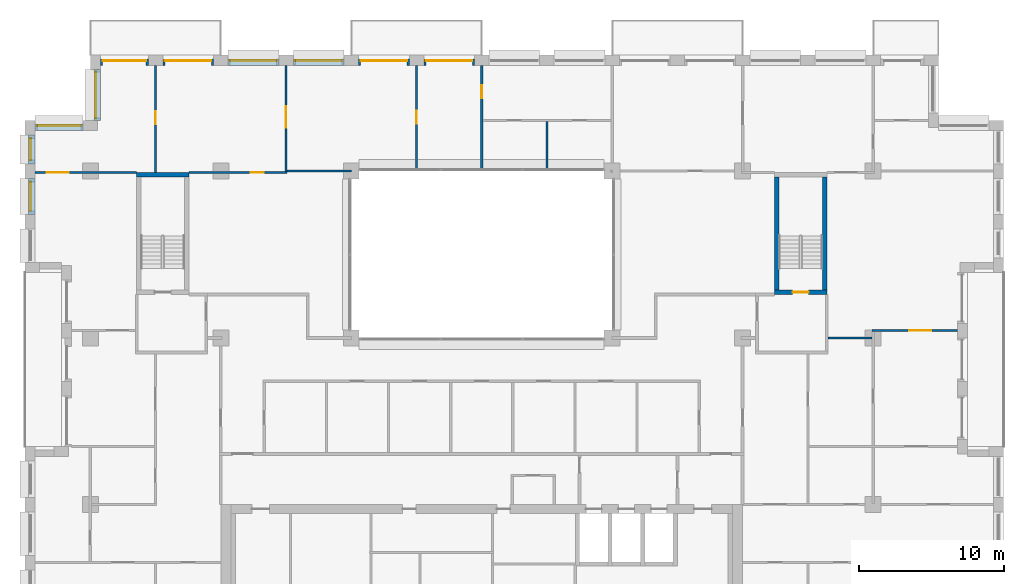
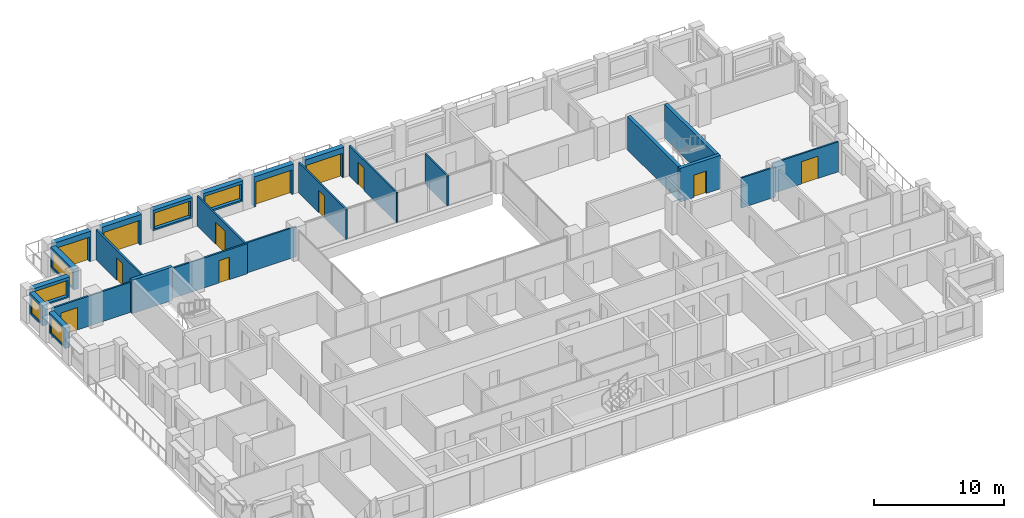
# One storey, part 12 of 15: 24 walls, 12 doors, 6 windows, 18 openings.
"""IFC4 building model written with IfcOpenShell, lengths in metres."""

from ifc_helpers import new_model, si_unit, direction, frame, frame_2d, origin, place, context, subcontext, project, spatial, rectangle, extrude, material, layer, layer_set, type_object, element, fill, save


model = new_model("IFC4")

# Units and contexts
model_context = context("Model", 3, precision=1e-05, world=origin(), true_north=direction((0.0, 1.0)))
body_context = subcontext(model_context, "Body", "Model", "MODEL_VIEW")
ifc_project = project(units=[si_unit("LENGTHUNIT", "METRE"), si_unit("AREAUNIT", "SQUARE_METRE"), si_unit("VOLUMEUNIT", "CUBIC_METRE"), si_unit("PLANEANGLEUNIT", "RADIAN"), si_unit("MASSUNIT", "GRAM", prefix="KILO")], contexts=[model_context])

# Site, building, storey
site_placement = place(None, origin())
site = spatial("IfcSite", under=ifc_project, at=site_placement, CompositionType="ELEMENT")
building_placement = place(site_placement, origin())
building = spatial("IfcBuilding", under=site, at=building_placement, Name="Brigalow Station Residences", CompositionType="ELEMENT")
storey_placement = place(building_placement, frame((0.0, 0.0, 175.949951171875)))
storey = spatial("IfcBuildingStorey", under=building, at=storey_placement, Name="L51", CompositionType="ELEMENT", Elevation=175.949951171875)

# Wall, opening, door
ifc_material_1 = material(Name="Clay brick masonry", Category="masonry")
ifc_layer_1 = layer(ifc_material_1, 0.449951171875)
ifc_layer_set_1 = layer_set([ifc_layer_1], Name="BRICK INFILL WALL 450")
wall_type_1 = type_object("IfcWallType", Name="BRICK INFILL WALL 450", PredefinedType="SOLIDWALL", material=ifc_layer_set_1)
wall_1_placement = place(storey_placement, frame((35.5, 43.02490234375, 0.0), z_axis=(0.0, 0.0, 1.0), x_axis=(-1.0, 0.0, 0.0)))
wall_1 = element("IfcWall", 1, at=wall_1_placement, inside=storey, type_object=wall_type_1, Name="L51/ewall/W-L51-29", PredefinedType="SOLIDWALL", context=body_context, shape_type="SweptSolid", body=[
    extrude(rectangle(XDim=3.5, YDim=0.449951171875, at=frame_2d((1.75, 0.0))), origin(), (0.0, 0.0, 1.0), 2.830078125),
])
opening_1_placement = place(wall_1_placement, frame((0.14990234375, 0.0, 0.0)))
opening_1 = element("IfcOpeningElement", 2, at=opening_1_placement, cuts=wall_1, Name="Opening D-B3200", PredefinedType="OPENING", context=body_context, shape_type="SweptSolid", body=[
    extrude(rectangle(XDim=3.199951171875, YDim=2.300048828125, at=frame_2d((1.60009765625, 1.14990234375))), frame((0.0, 0.23486328125, 0.0), z_axis=(0.0, -1.0, 0.0), x_axis=(1.0, 0.0, 0.0)), (0.0, 0.0, 1.0), 0.469970703125),
])
ifc_material_2 = material(Name="Anodised aluminium frame with double glazing", Category="aluminium")
door_type_1 = type_object("IfcDoorType", Name="BALCONY SLIDING DOOR 3200x2300", OperationType="SLIDING_TO_LEFT", PredefinedType="DOOR", material=ifc_material_2)
door_1_placement = place(opening_1_placement, origin())
door_1 = element("IfcDoor", 3, at=door_1_placement, inside=storey, type_object=door_type_1, Name="L51/balcony-door/W-L51-29", OperationType="SLIDING_TO_LEFT", OverallHeight=2.300048828125, OverallWidth=3.199951171875, PredefinedType="DOOR", context=body_context, shape_type="SweptSolid", body=[
    extrude(rectangle(XDim=3.199951171875, YDim=2.300048828125, at=frame_2d((1.60009765625, 1.14990234375))), frame((0.0, -0.06982421875, 0.0), z_axis=(0.0, -1.0, 0.0), x_axis=(1.0, 0.0, 0.0)), (0.0, 0.0, 1.0), 0.050048828125),
])
fill(opening_1, door_1)

wall_2_placement = place(storey_placement, frame((31.0, 43.02490234375, 0.0), z_axis=(0.0, 0.0, 1.0), x_axis=(-1.0, 0.0, 0.0)))
wall_2 = element("IfcWall", 4, at=wall_2_placement, inside=storey, type_object=wall_type_1, Name="L51/ewall/W-L51-30", PredefinedType="SOLIDWALL", context=body_context, shape_type="SweptSolid", body=[
    extrude(rectangle(XDim=3.5, YDim=0.449951171875, at=frame_2d((1.75, 0.0))), origin(), (0.0, 0.0, 1.0), 2.830078125),
])
opening_2_placement = place(wall_2_placement, frame((0.14990234375, 0.0, 0.0)))
opening_2 = element("IfcOpeningElement", 5, at=opening_2_placement, cuts=wall_2, Name="Opening D-B3200", PredefinedType="OPENING", context=body_context, shape_type="SweptSolid", body=[
    extrude(rectangle(XDim=3.199951171875, YDim=2.300048828125, at=frame_2d((1.60009765625, 1.14990234375))), frame((0.0, 0.23486328125, 0.0), z_axis=(0.0, -1.0, 0.0), x_axis=(1.0, 0.0, 0.0)), (0.0, 0.0, 1.0), 0.469970703125),
])
door_2_placement = place(opening_2_placement, origin())
door_2 = element("IfcDoor", 6, at=door_2_placement, inside=storey, type_object=door_type_1, Name="L51/balcony-door/W-L51-30", OperationType="SLIDING_TO_LEFT", OverallHeight=2.300048828125, OverallWidth=3.199951171875, PredefinedType="DOOR", context=body_context, shape_type="SweptSolid", body=[
    extrude(rectangle(XDim=3.199951171875, YDim=2.300048828125, at=frame_2d((1.60009765625, 1.14990234375))), frame((0.0, -0.06982421875, 0.0), z_axis=(0.0, -1.0, 0.0), x_axis=(1.0, 0.0, 0.0)), (0.0, 0.0, 1.0), 0.050048828125),
])
fill(opening_2, door_2)

# Wall, opening, window
wall_3_placement = place(storey_placement, frame((26.5, 43.02490234375, 0.900146484375), z_axis=(0.0, 0.0, 1.0), x_axis=(-1.0, 0.0, 0.0)))
wall_3 = element("IfcWall", 7, at=wall_3_placement, inside=storey, type_object=wall_type_1, Name="L51/ewall/W-L51-31", PredefinedType="SOLIDWALL", context=body_context, shape_type="SweptSolid", body=[
    extrude(rectangle(XDim=3.5, YDim=0.449951171875, at=frame_2d((1.75, 0.0))), origin(), (0.0, 0.0, 1.0), 1.929931640625),
])
opening_3_placement = place(wall_3_placement, frame((0.14990234375, 0.0, 0.14990234375)))
opening_3 = element("IfcOpeningElement", 8, at=opening_3_placement, cuts=wall_3, Name="Opening WT-9", PredefinedType="OPENING", context=body_context, shape_type="SweptSolid", body=[
    extrude(rectangle(XDim=3.199951171875, YDim=1.5, at=frame_2d((1.60009765625, 0.75))), frame((0.0, 0.23486328125, 0.0), z_axis=(0.0, -1.0, 0.0), x_axis=(1.0, 0.0, 0.0)), (0.0, 0.0, 1.0), 0.469970703125),
])
ifc_material_3 = material(Name="Anodised aluminium frame with double glazing", Category="aluminium")
window_type_1 = type_object("IfcWindowType", Name="WINDOW 3200x1500", PartitioningType="SINGLE_PANEL", PredefinedType="WINDOW", material=ifc_material_3)
window_1_placement = place(opening_3_placement, origin())
window_1 = element("IfcWindow", 9, at=window_1_placement, inside=storey, type_object=window_type_1, Name="L51/window/W-L51-31", OverallHeight=1.5, OverallWidth=3.199951171875, PartitioningType="SINGLE_PANEL", PredefinedType="WINDOW", context=body_context, shape_type="SweptSolid", body=[
    extrude(rectangle(XDim=3.199951171875, YDim=1.5, at=frame_2d((1.60009765625, 0.75))), frame((0.0, -0.06494140625, 0.0), z_axis=(0.0, -1.0, 0.0), x_axis=(1.0, 0.0, 0.0)), (0.0, 0.0, 1.0), 0.06005859375),
])
fill(opening_3, window_1)

wall_4_placement = place(storey_placement, frame((22.0, 43.02490234375, 0.900146484375), z_axis=(0.0, 0.0, 1.0), x_axis=(-1.0, 0.0, 0.0)))
wall_4 = element("IfcWall", 10, at=wall_4_placement, inside=storey, type_object=wall_type_1, Name="L51/ewall/W-L51-32", PredefinedType="SOLIDWALL", context=body_context, shape_type="SweptSolid", body=[
    extrude(rectangle(XDim=3.5, YDim=0.449951171875, at=frame_2d((1.75, 0.0))), origin(), (0.0, 0.0, 1.0), 1.929931640625),
])
opening_4_placement = place(wall_4_placement, frame((0.14990234375, 0.0, 0.14990234375)))
opening_4 = element("IfcOpeningElement", 11, at=opening_4_placement, cuts=wall_4, Name="Opening WT-9", PredefinedType="OPENING", context=body_context, shape_type="SweptSolid", body=[
    extrude(rectangle(XDim=3.199951171875, YDim=1.5, at=frame_2d((1.60009765625, 0.75))), frame((0.0, 0.23486328125, 0.0), z_axis=(0.0, -1.0, 0.0), x_axis=(1.0, 0.0, 0.0)), (0.0, 0.0, 1.0), 0.469970703125),
])
window_2_placement = place(opening_4_placement, origin())
window_2 = element("IfcWindow", 12, at=window_2_placement, inside=storey, type_object=window_type_1, Name="L51/window/W-L51-32", OverallHeight=1.5, OverallWidth=3.199951171875, PartitioningType="SINGLE_PANEL", PredefinedType="WINDOW", context=body_context, shape_type="SweptSolid", body=[
    extrude(rectangle(XDim=3.199951171875, YDim=1.5, at=frame_2d((1.60009765625, 0.75))), frame((0.0, -0.06494140625, 0.0), z_axis=(0.0, -1.0, 0.0), x_axis=(1.0, 0.0, 0.0)), (0.0, 0.0, 1.0), 0.06005859375),
])
fill(opening_4, window_2)

# Wall, opening, door
wall_5_placement = place(storey_placement, frame((17.5, 43.02490234375, 0.0), z_axis=(0.0, 0.0, 1.0), x_axis=(-1.0, 0.0, 0.0)))
wall_5 = element("IfcWall", 13, at=wall_5_placement, inside=storey, type_object=wall_type_1, Name="L51/ewall/W-L51-33", PredefinedType="SOLIDWALL", context=body_context, shape_type="SweptSolid", body=[
    extrude(rectangle(XDim=3.5, YDim=0.449951171875, at=frame_2d((1.75, 0.0))), origin(), (0.0, 0.0, 1.0), 2.830078125),
])
opening_5_placement = place(wall_5_placement, frame((0.14990234375, 0.0, 0.0)))
opening_5 = element("IfcOpeningElement", 14, at=opening_5_placement, cuts=wall_5, Name="Opening D-B3200", PredefinedType="OPENING", context=body_context, shape_type="SweptSolid", body=[
    extrude(rectangle(XDim=3.199951171875, YDim=2.300048828125, at=frame_2d((1.60009765625, 1.14990234375))), frame((0.0, 0.23486328125, 0.0), z_axis=(0.0, -1.0, 0.0), x_axis=(1.0, 0.0, 0.0)), (0.0, 0.0, 1.0), 0.469970703125),
])
door_3_placement = place(opening_5_placement, origin())
door_3 = element("IfcDoor", 15, at=door_3_placement, inside=storey, type_object=door_type_1, Name="L51/balcony-door/W-L51-33", OperationType="SLIDING_TO_LEFT", OverallHeight=2.300048828125, OverallWidth=3.199951171875, PredefinedType="DOOR", context=body_context, shape_type="SweptSolid", body=[
    extrude(rectangle(XDim=3.199951171875, YDim=2.300048828125, at=frame_2d((1.60009765625, 1.14990234375))), frame((0.0, -0.06982421875, 0.0), z_axis=(0.0, -1.0, 0.0), x_axis=(1.0, 0.0, 0.0)), (0.0, 0.0, 1.0), 0.050048828125),
])
fill(opening_5, door_3)

wall_6_placement = place(storey_placement, frame((13.0, 43.02490234375, 0.0), z_axis=(0.0, 0.0, 1.0), x_axis=(-1.0, 0.0, 0.0)))
wall_6 = element("IfcWall", 16, at=wall_6_placement, inside=storey, type_object=wall_type_1, Name="L51/ewall/W-L51-34", PredefinedType="SOLIDWALL", context=body_context, shape_type="SweptSolid", body=[
    extrude(rectangle(XDim=3.300048828125, YDim=0.449951171875, at=frame_2d((1.64990234375, 0.0))), origin(), (0.0, 0.0, 1.0), 2.830078125),
])
opening_6_placement = place(wall_6_placement, frame((0.14990234375, 0.0, 0.0)))
opening_6 = element("IfcOpeningElement", 17, at=opening_6_placement, cuts=wall_6, Name="Opening D-B3000", PredefinedType="OPENING", context=body_context, shape_type="SweptSolid", body=[
    extrude(rectangle(XDim=3.0, YDim=2.300048828125, at=frame_2d((1.5, 1.14990234375))), frame((0.0, 0.23486328125, 0.0), z_axis=(0.0, -1.0, 0.0), x_axis=(1.0, 0.0, 0.0)), (0.0, 0.0, 1.0), 0.469970703125),
])
ifc_material_4 = material(Name="Anodised aluminium frame with double glazing", Category="aluminium")
door_type_2 = type_object("IfcDoorType", Name="BALCONY SLIDING DOOR 3000x2300", OperationType="SLIDING_TO_LEFT", PredefinedType="DOOR", material=ifc_material_4)
door_4_placement = place(opening_6_placement, origin())
door_4 = element("IfcDoor", 18, at=door_4_placement, inside=storey, type_object=door_type_2, Name="L51/balcony-door/W-L51-34", OperationType="SLIDING_TO_LEFT", OverallHeight=2.300048828125, OverallWidth=3.0, PredefinedType="DOOR", context=body_context, shape_type="SweptSolid", body=[
    extrude(rectangle(XDim=3.0, YDim=2.300048828125, at=frame_2d((1.5, 1.14990234375))), frame((0.0, -0.06982421875, 0.0), z_axis=(0.0, -1.0, 0.0), x_axis=(1.0, 0.0, 0.0)), (0.0, 0.0, 1.0), 0.050048828125),
])
fill(opening_6, door_4)

# Wall, opening, window
wall_7_placement = place(storey_placement, frame((9.47509765625, 42.5, 0.900146484375), z_axis=(0.0, 0.0, 1.0), x_axis=(0.0, -1.0, 0.0)))
wall_7 = element("IfcWall", 19, at=wall_7_placement, inside=storey, type_object=wall_type_1, Name="L51/ewall/W-L51-35", PredefinedType="SOLIDWALL", context=body_context, shape_type="SweptSolid", body=[
    extrude(rectangle(XDim=3.5, YDim=0.449951171875, at=frame_2d((1.75, 0.0))), origin(), (0.0, 0.0, 1.0), 1.929931640625),
])
opening_7_placement = place(wall_7_placement, frame((0.14990234375, 0.0, 0.14990234375)))
opening_7 = element("IfcOpeningElement", 20, at=opening_7_placement, cuts=wall_7, Name="Opening WT-9", PredefinedType="OPENING", context=body_context, shape_type="SweptSolid", body=[
    extrude(rectangle(XDim=3.199951171875, YDim=1.5, at=frame_2d((1.60009765625, 0.75))), frame((0.0, 0.23486328125, 0.0), z_axis=(0.0, -1.0, 0.0), x_axis=(1.0, 0.0, 0.0)), (0.0, 0.0, 1.0), 0.469970703125),
])
window_3_placement = place(opening_7_placement, origin())
window_3 = element("IfcWindow", 21, at=window_3_placement, inside=storey, type_object=window_type_1, Name="L51/window/W-L51-35", OverallHeight=1.5, OverallWidth=3.199951171875, PartitioningType="SINGLE_PANEL", PredefinedType="WINDOW", context=body_context, shape_type="SweptSolid", body=[
    extrude(rectangle(XDim=3.199951171875, YDim=1.5, at=frame_2d((1.60009765625, 0.75))), frame((0.0, -0.06494140625, 0.0), z_axis=(0.0, -1.0, 0.0), x_axis=(1.0, 0.0, 0.0)), (0.0, 0.0, 1.0), 0.06005859375),
])
fill(opening_7, window_3)

wall_8_placement = place(storey_placement, frame((8.5, 38.52490234375, 0.900146484375), z_axis=(0.0, 0.0, 1.0), x_axis=(-1.0, 0.0, 0.0)))
wall_8 = element("IfcWall", 22, at=wall_8_placement, inside=storey, type_object=wall_type_1, Name="L51/ewall/W-L51-36", PredefinedType="SOLIDWALL", context=body_context, shape_type="SweptSolid", body=[
    extrude(rectangle(XDim=3.300048828125, YDim=0.449951171875, at=frame_2d((1.64990234375, 0.0))), origin(), (0.0, 0.0, 1.0), 1.929931640625),
])
opening_8_placement = place(wall_8_placement, frame((0.14990234375, 0.0, 0.14990234375)))
opening_8 = element("IfcOpeningElement", 23, at=opening_8_placement, cuts=wall_8, Name="Opening WT-2", PredefinedType="OPENING", context=body_context, shape_type="SweptSolid", body=[
    extrude(rectangle(XDim=3.0, YDim=1.5, at=frame_2d((1.5, 0.75))), frame((0.0, 0.23486328125, 0.0), z_axis=(0.0, -1.0, 0.0), x_axis=(1.0, 0.0, 0.0)), (0.0, 0.0, 1.0), 0.469970703125),
])
ifc_material_5 = material(Name="Anodised aluminium frame with double glazing", Category="aluminium")
window_type_2 = type_object("IfcWindowType", Name="WINDOW 3000x1500", PartitioningType="SINGLE_PANEL", PredefinedType="WINDOW", material=ifc_material_5)
window_4_placement = place(opening_8_placement, origin())
window_4 = element("IfcWindow", 24, at=window_4_placement, inside=storey, type_object=window_type_2, Name="L51/window/W-L51-36", OverallHeight=1.5, OverallWidth=3.0, PartitioningType="SINGLE_PANEL", PredefinedType="WINDOW", context=body_context, shape_type="SweptSolid", body=[
    extrude(rectangle(XDim=3.0, YDim=1.5, at=frame_2d((1.5, 0.75))), frame((0.0, -0.06494140625, 0.0), z_axis=(0.0, -1.0, 0.0), x_axis=(1.0, 0.0, 0.0)), (0.0, 0.0, 1.0), 0.06005859375),
])
fill(opening_8, window_4)

wall_9_placement = place(storey_placement, frame((4.97509765625, 38.0, 0.900146484375), z_axis=(0.0, 0.0, 1.0), x_axis=(0.0, -1.0, 0.0)))
wall_9 = element("IfcWall", 25, at=wall_9_placement, inside=storey, type_object=wall_type_1, Name="L51/ewall/W-L51-37", PredefinedType="SOLIDWALL", context=body_context, shape_type="SweptSolid", body=[
    extrude(rectangle(XDim=2.0, YDim=0.449951171875, at=frame_2d((1.0, 0.0))), origin(), (0.0, 0.0, 1.0), 1.929931640625),
])
opening_9_placement = place(wall_9_placement, frame((0.25, 0.0, 0.14990234375)))
opening_9 = element("IfcOpeningElement", 26, at=opening_9_placement, cuts=wall_9, Name="Opening WT-1", PredefinedType="OPENING", context=body_context, shape_type="SweptSolid", body=[
    extrude(rectangle(XDim=1.5, YDim=1.5, at=frame_2d((0.75, 0.75))), frame((0.0, 0.23486328125, 0.0), z_axis=(0.0, -1.0, 0.0), x_axis=(1.0, 0.0, 0.0)), (0.0, 0.0, 1.0), 0.469970703125),
])
ifc_material_6 = material(Name="Anodised aluminium frame with double glazing", Category="aluminium")
window_type_3 = type_object("IfcWindowType", Name="WINDOW 1500x1500", PartitioningType="SINGLE_PANEL", PredefinedType="WINDOW", material=ifc_material_6)
window_5_placement = place(opening_9_placement, origin())
window_5 = element("IfcWindow", 27, at=window_5_placement, inside=storey, type_object=window_type_3, Name="L51/window/W-L51-37", OverallHeight=1.5, OverallWidth=1.5, PartitioningType="SINGLE_PANEL", PredefinedType="WINDOW", context=body_context, shape_type="SweptSolid", body=[
    extrude(rectangle(XDim=1.5, YDim=1.5, at=frame_2d((0.75, 0.75))), frame((0.0, -0.06494140625, 0.0), z_axis=(0.0, -1.0, 0.0), x_axis=(1.0, 0.0, 0.0)), (0.0, 0.0, 1.0), 0.06005859375),
])
fill(opening_9, window_5)

wall_10_placement = place(storey_placement, frame((4.97509765625, 35.0, 0.900146484375), z_axis=(0.0, 0.0, 1.0), x_axis=(0.0, -1.0, 0.0)))
wall_10 = element("IfcWall", 28, at=wall_10_placement, inside=storey, type_object=wall_type_1, Name="L51/ewall/W-L51-38", PredefinedType="SOLIDWALL", context=body_context, shape_type="SweptSolid", body=[
    extrude(rectangle(XDim=2.5, YDim=0.449951171875, at=frame_2d((1.25, 0.0))), origin(), (0.0, 0.0, 1.0), 1.929931640625),
])
opening_10_placement = place(wall_10_placement, frame((0.25, 0.0, 0.14990234375)))
opening_10 = element("IfcOpeningElement", 29, at=opening_10_placement, cuts=wall_10, Name="Opening WT-7", PredefinedType="OPENING", context=body_context, shape_type="SweptSolid", body=[
    extrude(rectangle(XDim=2.0, YDim=1.5, at=frame_2d((1.0, 0.75))), frame((0.0, 0.23486328125, 0.0), z_axis=(0.0, -1.0, 0.0), x_axis=(1.0, 0.0, 0.0)), (0.0, 0.0, 1.0), 0.469970703125),
])
ifc_material_7 = material(Name="Anodised aluminium frame with double glazing", Category="aluminium")
window_type_4 = type_object("IfcWindowType", Name="WINDOW 2000x1500", PartitioningType="SINGLE_PANEL", PredefinedType="WINDOW", material=ifc_material_7)
window_6_placement = place(opening_10_placement, origin())
window_6 = element("IfcWindow", 30, at=window_6_placement, inside=storey, type_object=window_type_4, Name="L51/window/W-L51-38", OverallHeight=1.5, OverallWidth=2.0, PartitioningType="SINGLE_PANEL", PredefinedType="WINDOW", context=body_context, shape_type="SweptSolid", body=[
    extrude(rectangle(XDim=2.0, YDim=1.5, at=frame_2d((1.0, 0.75))), frame((0.0, -0.06494140625, 0.0), z_axis=(0.0, -1.0, 0.0), x_axis=(1.0, 0.0, 0.0)), (0.0, 0.0, 1.0), 0.06005859375),
])
fill(opening_10, window_6)

# Wall
ifc_material_8 = material(Name="Concrete C65", Category="concrete")
ifc_layer_2 = layer(ifc_material_8, 0.300048828125)
ifc_layer_set_2 = layer_set([ifc_layer_2], Name="CORE SHEAR WALL 300 C65")
wall_type_2 = type_object("IfcWallType", Name="CORE SHEAR WALL 300 C65", PredefinedType="SHEAR", material=ifc_layer_set_2)
wall_11_placement = place(storey_placement, frame((12.199951171875, 35.25, 0.0), z_axis=(0.0, 0.0, 1.0), x_axis=(1.0, 0.0, 0.0)))
element("IfcWall", 31, at=wall_11_placement, inside=storey, type_object=wall_type_2, Name="CORE WALL ST-S1-N L51", PredefinedType="SHEAR", context=body_context, shape_type="SweptSolid", body=[
    extrude(rectangle(XDim=3.60009765625, YDim=0.300048828125, at=frame_2d((1.800048828125, 0.0))), origin(), (0.0, 0.0, 1.0), 3.150146484375),
])

# Wall, opening, door
wall_12_placement = place(storey_placement, frame((56.199951171875, 27.14990234375, 0.0), z_axis=(0.0, 0.0, 1.0), x_axis=(1.0, 0.0, 0.0)))
wall_12 = element("IfcWall", 32, at=wall_12_placement, inside=storey, type_object=wall_type_2, Name="CORE WALL ST-S3-S L51", PredefinedType="SHEAR", context=body_context, shape_type="SweptSolid", body=[
    extrude(rectangle(XDim=3.60009765625, YDim=0.300048828125, at=frame_2d((1.800048828125, 0.0))), origin(), (0.0, 0.0, 1.0), 3.150146484375),
])
opening_11_placement = place(wall_12_placement, frame((1.25, 0.0, 0.0)))
opening_11 = element("IfcOpeningElement", 33, at=opening_11_placement, cuts=wall_12, Name="Opening D-5018", PredefinedType="OPENING", context=body_context, shape_type="SweptSolid", body=[
    extrude(rectangle(XDim=1.10009765625, YDim=2.10009765625, at=frame_2d((0.550048828125, 1.050048828125))), frame((0.0, 0.16015625, 0.0), z_axis=(0.0, -1.0, 0.0), x_axis=(1.0, 0.0, 0.0)), (0.0, 0.0, 1.0), 0.320068359375),
])
ifc_material_9 = material(Name="Steel fire door leaf in steel frame", Category="steel")
door_type_3 = type_object("IfcDoorType", Name="STAIR DOOR 1100 x 2100 FD60S", OperationType="SINGLE_SWING_LEFT", PredefinedType="DOOR", material=ifc_material_9)
door_5_placement = place(opening_11_placement, origin())
door_5 = element("IfcDoor", 34, at=door_5_placement, inside=storey, type_object=door_type_3, Name="D-5018", OperationType="SINGLE_SWING_LEFT", OverallHeight=2.10009765625, OverallWidth=1.10009765625, PredefinedType="DOOR", context=body_context, shape_type="SweptSolid", body=[
    extrude(rectangle(XDim=1.10009765625, YDim=2.10009765625, at=frame_2d((0.550048828125, 1.050048828125))), frame((0.0, 0.02490234375, 0.0), z_axis=(0.0, -1.0, 0.0), x_axis=(1.0, 0.0, 0.0)), (0.0, 0.0, 1.0), 0.050048828125),
])
fill(opening_11, door_5)

# Walls
for number, where, z_axis, x_axis, name in (
    (35, (56.35009765625, 27.300048828125, 0.0), (0.0, 0.0, 1.0), (0.0, 1.0, 0.0), "CORE WALL ST-S3-W L51"),
    (36, (59.64990234375, 27.300048828125, 0.0), (0.0, 0.0, 1.0), (0.0, 1.0, 0.0), "CORE WALL ST-S3-E L51"),
):
    element("IfcWall", number, at=place(storey_placement, frame(where, z_axis=z_axis, x_axis=x_axis)), inside=storey, type_object=wall_type_2, Name=name, PredefinedType="SHEAR", context=body_context, shape_type="SweptSolid", body=[
        extrude(rectangle(XDim=7.800048828125, YDim=0.300048828125, at=frame_2d((3.89990234375, 0.0))), origin(), (0.0, 0.0, 1.0), 3.150146484375),
    ])
ifc_material_10 = material(Name="Plasterboard on steel stud partition", Category="steel")
ifc_layer_3 = layer(ifc_material_10, 0.14990234375)
ifc_layer_set_3 = layer_set([ifc_layer_3], Name="FLAT PARTITION 150")
wall_type_3 = type_object("IfcWallType", Name="FLAT PARTITION 150", PredefinedType="PARTITIONING", material=ifc_layer_set_3)
wall_13_placement = place(storey_placement, frame((59.89990234375, 24.0, 0.0), z_axis=(0.0, 0.0, 1.0), x_axis=(1.0, 0.0, 0.0)))
element("IfcWall", 37, at=wall_13_placement, inside=storey, type_object=wall_type_3, Name="PW-3E01", PredefinedType="PARTITIONING", context=body_context, shape_type="SweptSolid", body=[
    extrude(rectangle(XDim=3.025146484375, YDim=0.14990234375, at=frame_2d((1.5126953125, 0.0))), origin(), (0.0, 0.0, 1.0), 2.830078125),
])

# Wall, opening, door
wall_14_placement = place(storey_placement, frame((62.925048828125, 24.5, 0.0), z_axis=(0.0, 0.0, 1.0), x_axis=(1.0, 0.0, 0.0)))
wall_14 = element("IfcWall", 38, at=wall_14_placement, inside=storey, type_object=wall_type_3, Name="PW-3E16", PredefinedType="PARTITIONING", context=body_context, shape_type="SweptSolid", body=[
    extrude(rectangle(XDim=5.875, YDim=0.14990234375, at=frame_2d((2.9375, 0.0))), origin(), (0.0, 0.0, 1.0), 2.830078125),
])
opening_12_placement = place(wall_14_placement, frame((2.574951171875, 0.0, 0.0)))
opening_12 = element("IfcOpeningElement", 39, at=opening_12_placement, cuts=wall_14, Name="Opening D-3E29", PredefinedType="OPENING", context=body_context, shape_type="SweptSolid", body=[
    extrude(rectangle(XDim=1.5, YDim=2.10009765625, at=frame_2d((0.75, 1.050048828125))), frame((0.0, 0.0849609375, 0.0), z_axis=(0.0, -1.0, 0.0), x_axis=(1.0, 0.0, 0.0)), (0.0, 0.0, 1.0), 0.169921875),
])
ifc_material_11 = material(Name="Solid-core timber door leaf", Category="wood")
door_type_4 = type_object("IfcDoorType", Name="INTERNAL DOUBLE DOOR 1500 x 2100", OperationType="DOUBLE_DOOR_SINGLE_SWING", PredefinedType="DOOR", material=ifc_material_11)
door_6_placement = place(opening_12_placement, frame((1.5, 0.0, 0.0), z_axis=(0.0, 0.0, 1.0), x_axis=(-1.0, 0.0, 0.0)))
door_6 = element("IfcDoor", 40, at=door_6_placement, inside=storey, type_object=door_type_4, Name="D-3E29", OperationType="DOUBLE_DOOR_SINGLE_SWING", OverallHeight=2.10009765625, OverallWidth=1.5, PredefinedType="DOOR", context=body_context, shape_type="SweptSolid", body=[
    extrude(rectangle(XDim=1.5, YDim=2.10009765625, at=frame_2d((0.75, 1.050048828125))), frame((0.0, 0.02490234375, 0.0), z_axis=(0.0, -1.0, 0.0), x_axis=(1.0, 0.0, 0.0)), (0.0, 0.0, 1.0), 0.050048828125),
])
fill(opening_12, door_6)

wall_15_placement = place(storey_placement, frame((5.199951171875, 35.39990234375, 0.0), z_axis=(0.0, 0.0, 1.0), x_axis=(1.0, 0.0, 0.0)))
wall_15 = element("IfcWall", 41, at=wall_15_placement, inside=storey, type_object=wall_type_3, Name="PW-3E17", PredefinedType="PARTITIONING", context=body_context, shape_type="SweptSolid", body=[
    extrude(rectangle(XDim=7.0, YDim=0.14990234375, at=frame_2d((3.5, 0.0))), origin(), (0.0, 0.0, 1.0), 2.830078125),
])
opening_13_placement = place(wall_15_placement, frame((0.800048828125, 0.0, 0.0)))
opening_13 = element("IfcOpeningElement", 42, at=opening_13_placement, cuts=wall_15, Name="Opening D-3E10", PredefinedType="OPENING", context=body_context, shape_type="SweptSolid", body=[
    extrude(rectangle(XDim=1.5, YDim=2.10009765625, at=frame_2d((0.75, 1.050048828125))), frame((0.0, 0.0849609375, 0.0), z_axis=(0.0, -1.0, 0.0), x_axis=(1.0, 0.0, 0.0)), (0.0, 0.0, 1.0), 0.169921875),
])
door_7_placement = place(opening_13_placement, origin())
door_7 = element("IfcDoor", 43, at=door_7_placement, inside=storey, type_object=door_type_4, Name="D-3E10", OperationType="DOUBLE_DOOR_SINGLE_SWING", OverallHeight=2.10009765625, OverallWidth=1.5, PredefinedType="DOOR", context=body_context, shape_type="SweptSolid", body=[
    extrude(rectangle(XDim=1.5, YDim=2.10009765625, at=frame_2d((0.75, 1.050048828125))), frame((0.0, 0.02490234375, 0.0), z_axis=(0.0, -1.0, 0.0), x_axis=(1.0, 0.0, 0.0)), (0.0, 0.0, 1.0), 0.050048828125),
])
fill(opening_13, door_7)

wall_16_placement = place(storey_placement, frame((15.800048828125, 35.39990234375, 0.0), z_axis=(0.0, 0.0, 1.0), x_axis=(1.0, 0.0, 0.0)))
wall_16 = element("IfcWall", 44, at=wall_16_placement, inside=storey, type_object=wall_type_3, Name="PW-3E18", PredefinedType="PARTITIONING", context=body_context, shape_type="SweptSolid", body=[
    extrude(rectangle(XDim=6.77490234375, YDim=0.14990234375, at=frame_2d((3.387451171875, 0.0))), origin(), (0.0, 0.0, 1.0), 2.830078125),
])
opening_14_placement = place(wall_16_placement, frame((4.27490234375, 0.0, 0.0)))
opening_14 = element("IfcOpeningElement", 45, at=opening_14_placement, cuts=wall_16, Name="Opening D-3E12", PredefinedType="OPENING", context=body_context, shape_type="SweptSolid", body=[
    extrude(rectangle(XDim=0.89990234375, YDim=2.10009765625, at=frame_2d((0.449951171875, 1.050048828125))), frame((0.0, 0.0849609375, 0.0), z_axis=(0.0, -1.0, 0.0), x_axis=(1.0, 0.0, 0.0)), (0.0, 0.0, 1.0), 0.169921875),
])
ifc_material_12 = material(Name="Solid-core timber door leaf", Category="wood")
door_type_5 = type_object("IfcDoorType", Name="INTERNAL DOOR 900 x 2100", OperationType="SINGLE_SWING_LEFT", PredefinedType="DOOR", material=ifc_material_12)
door_8_placement = place(opening_14_placement, frame((0.89990234375, 0.0, 0.0), z_axis=(0.0, 0.0, 1.0), x_axis=(-1.0, 0.0, 0.0)))
door_8 = element("IfcDoor", 46, at=door_8_placement, inside=storey, type_object=door_type_5, Name="D-3E12", OperationType="SINGLE_SWING_RIGHT", OverallHeight=2.10009765625, OverallWidth=0.89990234375, PredefinedType="DOOR", context=body_context, shape_type="SweptSolid", body=[
    extrude(rectangle(XDim=0.89990234375, YDim=2.10009765625, at=frame_2d((0.449951171875, 1.050048828125))), frame((0.0, 0.02490234375, 0.0), z_axis=(0.0, -1.0, 0.0), x_axis=(1.0, 0.0, 0.0)), (0.0, 0.0, 1.0), 0.050048828125),
])
fill(opening_14, door_8)

# Wall
wall_17_placement = place(storey_placement, frame((22.574951171875, 35.5, 0.0), z_axis=(0.0, 0.0, 1.0), x_axis=(1.0, 0.0, 0.0)))
element("IfcWall", 47, at=wall_17_placement, inside=storey, type_object=wall_type_3, Name="PW-3E21", PredefinedType="PARTITIONING", context=body_context, shape_type="SweptSolid", body=[
    extrude(rectangle(XDim=4.425048828125, YDim=0.14990234375, at=frame_2d((2.21240234375, 0.0))), origin(), (0.0, 0.0, 1.0), 2.830078125),
])

# Wall, opening, door
wall_18_placement = place(storey_placement, frame((13.5, 35.39990234375, 0.0), z_axis=(0.0, 0.0, 1.0), x_axis=(0.0, 1.0, 0.0)))
wall_18 = element("IfcWall", 48, at=wall_18_placement, inside=storey, type_object=wall_type_3, Name="PW-3E37", PredefinedType="PARTITIONING", context=body_context, shape_type="SweptSolid", body=[
    extrude(rectangle(XDim=7.400146484375, YDim=0.14990234375, at=frame_2d((3.7001953125, 0.0))), origin(), (0.0, 0.0, 1.0), 2.830078125),
])
opening_15_placement = place(wall_18_placement, frame((3.324951171875, 0.0, 0.0)))
opening_15 = element("IfcOpeningElement", 49, at=opening_15_placement, cuts=wall_18, Name="Opening D-3E11", PredefinedType="OPENING", context=body_context, shape_type="SweptSolid", body=[
    extrude(rectangle(XDim=0.89990234375, YDim=2.10009765625, at=frame_2d((0.449951171875, 1.050048828125))), frame((0.0, 0.0849609375, 0.0), z_axis=(0.0, -1.0, 0.0), x_axis=(1.0, 0.0, 0.0)), (0.0, 0.0, 1.0), 0.169921875),
])
door_9_placement = place(opening_15_placement, origin())
door_9 = element("IfcDoor", 50, at=door_9_placement, inside=storey, type_object=door_type_5, Name="D-3E11", OperationType="SINGLE_SWING_RIGHT", OverallHeight=2.10009765625, OverallWidth=0.89990234375, PredefinedType="DOOR", context=body_context, shape_type="SweptSolid", body=[
    extrude(rectangle(XDim=0.89990234375, YDim=2.10009765625, at=frame_2d((0.449951171875, 1.050048828125))), frame((0.0, 0.02490234375, 0.0), z_axis=(0.0, -1.0, 0.0), x_axis=(1.0, 0.0, 0.0)), (0.0, 0.0, 1.0), 0.050048828125),
])
fill(opening_15, door_9)

wall_19_placement = place(storey_placement, frame((22.5, 35.47509765625, 0.0), z_axis=(0.0, 0.0, 1.0), x_axis=(0.0, 1.0, 0.0)))
wall_19 = element("IfcWall", 51, at=wall_19_placement, inside=storey, type_object=wall_type_3, Name="PW-3E39", PredefinedType="PARTITIONING", context=body_context, shape_type="SweptSolid", body=[
    extrude(rectangle(XDim=7.324951171875, YDim=0.14990234375, at=frame_2d((3.66259765625, 0.0))), origin(), (0.0, 0.0, 1.0), 2.830078125),
])
opening_16_placement = place(wall_19_placement, frame((3.0, 0.0, 0.0)))
opening_16 = element("IfcOpeningElement", 52, at=opening_16_placement, cuts=wall_19, Name="Opening D-3E13", PredefinedType="OPENING", context=body_context, shape_type="SweptSolid", body=[
    extrude(rectangle(XDim=1.5, YDim=2.10009765625, at=frame_2d((0.75, 1.050048828125))), frame((0.0, 0.0849609375, 0.0), z_axis=(0.0, -1.0, 0.0), x_axis=(1.0, 0.0, 0.0)), (0.0, 0.0, 1.0), 0.169921875),
])
door_10_placement = place(opening_16_placement, frame((1.5, 0.0, 0.0), z_axis=(0.0, 0.0, 1.0), x_axis=(-1.0, 0.0, 0.0)))
door_10 = element("IfcDoor", 53, at=door_10_placement, inside=storey, type_object=door_type_4, Name="D-3E13", OperationType="DOUBLE_DOOR_SINGLE_SWING", OverallHeight=2.10009765625, OverallWidth=1.5, PredefinedType="DOOR", context=body_context, shape_type="SweptSolid", body=[
    extrude(rectangle(XDim=1.5, YDim=2.10009765625, at=frame_2d((0.75, 1.050048828125))), frame((0.0, 0.02490234375, 0.0), z_axis=(0.0, -1.0, 0.0), x_axis=(1.0, 0.0, 0.0)), (0.0, 0.0, 1.0), 0.050048828125),
])
fill(opening_16, door_10)

wall_20_placement = place(storey_placement, frame((31.5, 35.5, 0.0), z_axis=(0.0, 0.0, 1.0), x_axis=(0.0, 1.0, 0.0)))
wall_20 = element("IfcWall", 54, at=wall_20_placement, inside=storey, type_object=wall_type_3, Name="PW-3E40", PredefinedType="PARTITIONING", context=body_context, shape_type="SweptSolid", body=[
    extrude(rectangle(XDim=7.300048828125, YDim=0.14990234375, at=frame_2d((3.64990234375, 0.0))), origin(), (0.0, 0.0, 1.0), 2.830078125),
])
opening_17_placement = place(wall_20_placement, frame((3.27490234375, 0.0, 0.0)))
opening_17 = element("IfcOpeningElement", 55, at=opening_17_placement, cuts=wall_20, Name="Opening D-3E14", PredefinedType="OPENING", context=body_context, shape_type="SweptSolid", body=[
    extrude(rectangle(XDim=0.89990234375, YDim=2.10009765625, at=frame_2d((0.449951171875, 1.050048828125))), frame((0.0, 0.0849609375, 0.0), z_axis=(0.0, -1.0, 0.0), x_axis=(1.0, 0.0, 0.0)), (0.0, 0.0, 1.0), 0.169921875),
])
door_11_placement = place(opening_17_placement, frame((0.89990234375, 0.0, 0.0), z_axis=(0.0, 0.0, 1.0), x_axis=(-1.0, 0.0, 0.0)))
door_11 = element("IfcDoor", 56, at=door_11_placement, inside=storey, type_object=door_type_5, Name="D-3E14", OperationType="SINGLE_SWING_LEFT", OverallHeight=2.10009765625, OverallWidth=0.89990234375, PredefinedType="DOOR", context=body_context, shape_type="SweptSolid", body=[
    extrude(rectangle(XDim=0.89990234375, YDim=2.10009765625, at=frame_2d((0.449951171875, 1.050048828125))), frame((0.0, 0.02490234375, 0.0), z_axis=(0.0, -1.0, 0.0), x_axis=(1.0, 0.0, 0.0)), (0.0, 0.0, 1.0), 0.050048828125),
])
fill(opening_17, door_11)

wall_21_placement = place(storey_placement, frame((36.0, 35.5, 0.0), z_axis=(0.0, 0.0, 1.0), x_axis=(0.0, 1.0, 0.0)))
wall_21 = element("IfcWall", 57, at=wall_21_placement, inside=storey, type_object=wall_type_3, Name="PW-3E41", PredefinedType="PARTITIONING", context=body_context, shape_type="SweptSolid", body=[
    extrude(rectangle(XDim=7.300048828125, YDim=0.14990234375, at=frame_2d((3.64990234375, 0.0))), origin(), (0.0, 0.0, 1.0), 2.830078125),
])
opening_18_placement = place(wall_21_placement, frame((5.02490234375, 0.0, 0.0)))
opening_18 = element("IfcOpeningElement", 58, at=opening_18_placement, cuts=wall_21, Name="Opening D-3E15", PredefinedType="OPENING", context=body_context, shape_type="SweptSolid", body=[
    extrude(rectangle(XDim=0.89990234375, YDim=2.10009765625, at=frame_2d((0.449951171875, 1.050048828125))), frame((0.0, 0.0849609375, 0.0), z_axis=(0.0, -1.0, 0.0), x_axis=(1.0, 0.0, 0.0)), (0.0, 0.0, 1.0), 0.169921875),
])
door_12_placement = place(opening_18_placement, origin())
door_12 = element("IfcDoor", 59, at=door_12_placement, inside=storey, type_object=door_type_5, Name="D-3E15", OperationType="SINGLE_SWING_RIGHT", OverallHeight=2.10009765625, OverallWidth=0.89990234375, PredefinedType="DOOR", context=body_context, shape_type="SweptSolid", body=[
    extrude(rectangle(XDim=0.89990234375, YDim=2.10009765625, at=frame_2d((0.449951171875, 1.050048828125))), frame((0.0, 0.02490234375, 0.0), z_axis=(0.0, -1.0, 0.0), x_axis=(1.0, 0.0, 0.0)), (0.0, 0.0, 1.0), 0.050048828125),
])
fill(opening_18, door_12)

# Wall
wall_22_placement = place(storey_placement, frame((40.5, 35.5, 0.0), z_axis=(0.0, 0.0, 1.0), x_axis=(0.0, 1.0, 0.0)))
element("IfcWall", 60, at=wall_22_placement, inside=storey, type_object=wall_type_3, Name="PW-3E43", PredefinedType="PARTITIONING", context=body_context, shape_type="SweptSolid", body=[
    extrude(rectangle(XDim=3.425048828125, YDim=0.14990234375, at=frame_2d((1.71240234375, 0.0))), origin(), (0.0, 0.0, 1.0), 2.830078125),
])

save(model, "model.ifc")
